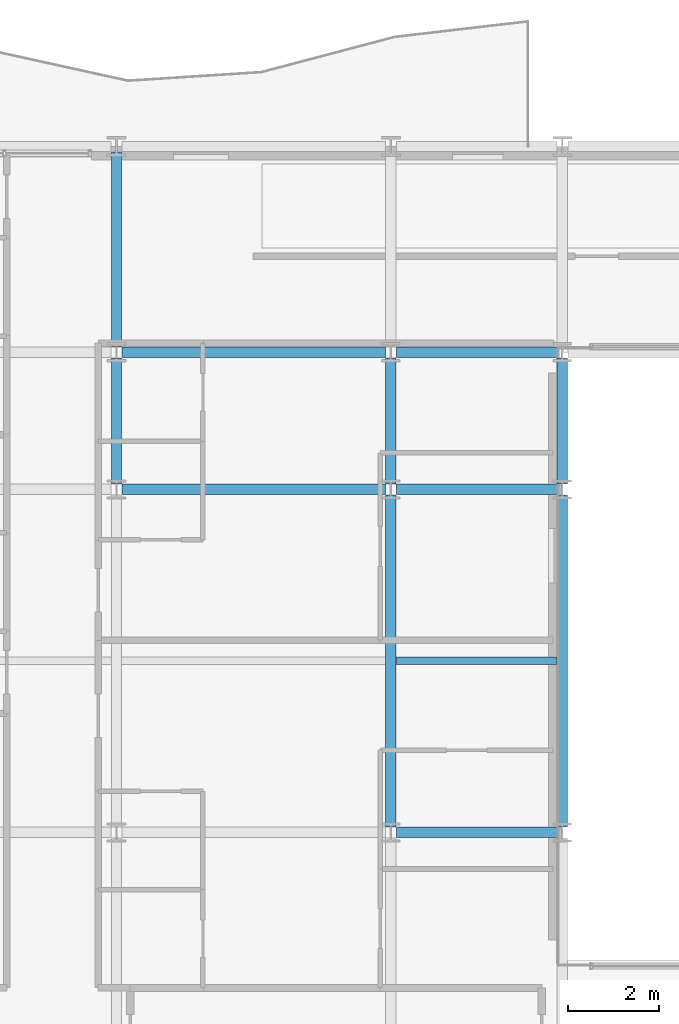
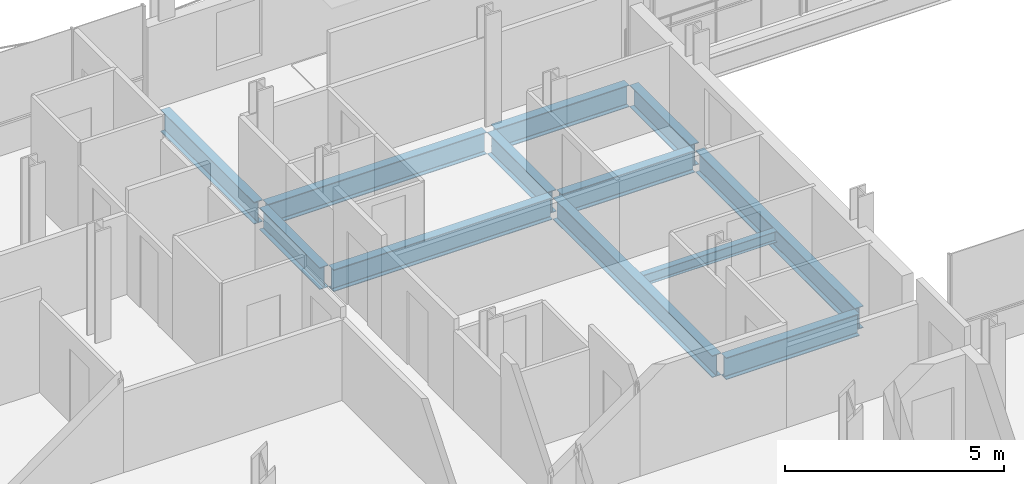
# One storey, part 8 of 41: 12 beams.
"""IFC4 building model written with IfcOpenShell, lengths in metres."""

import ifcopenshell
import ifcopenshell.guid

model = None  # the IFC model being written
_history = None  # IfcOwnerHistory: only IFC2X3 demands one
_inside = {}  # id of a spatial element -> (the spatial element, [elements in it])
_under = {}  # id of a project, library or spatial element -> (it, [spatial elements below it])
_declared = {}  # id of a project -> (the project, [libraries it declares])
_typed = {}  # id of a type object -> (the type object, [elements of that type])
_made_of = {}  # id of a material, layer set ... -> (it, [elements and type objects made of it])


def new_model(schema):
    """Start an empty IFC model of exactly this schema.

    Asked for "IFC4X3", IfcOpenShell would pick the latest addendum, in which some entities
    have other attributes; the version numbers below select the first issue.
    IFC2X3 requires an IfcOwnerHistory on every rooted entity: one is made here for all.
    """
    global model, _history
    if schema == "IFC4X3":
        model = ifcopenshell.file(schema_version=(4, 3, 0, 0))
    else:
        model = ifcopenshell.file(schema=schema)
    _inside.clear()
    _under.clear()
    _declared.clear()
    _typed.clear()
    _made_of.clear()
    _history = None
    if model.schema == "IFC2X3":
        org = make("IfcOrganization", Name="unknown")
        user = make(
            "IfcPersonAndOrganization",
            ThePerson=make("IfcPerson", FamilyName="unknown"),
            TheOrganization=org,
        )
        app = make(
            "IfcApplication",
            ApplicationDeveloper=org,
            Version="unknown",
            ApplicationFullName="unknown",
            ApplicationIdentifier="unknown",
        )
        _history = make(
            "IfcOwnerHistory",
            OwningUser=user,
            OwningApplication=app,
            ChangeAction="ADDED",
            CreationDate=0,
        )
    return model


def make(cls, **values):
    """One entity of the class cls with the attributes given. An attribute that is None is left unset."""
    return model.create_entity(
        cls, **{name: value for name, value in values.items() if value is not None}
    )


def rooted(cls, **values):
    """An entity with a GlobalId (a new one), such as an element, a storey or a relation."""
    return make(cls, GlobalId=ifcopenshell.guid.new(), OwnerHistory=_history, **values)


def si_unit(unit_type, name, prefix=None):
    """IfcSIUnit, for example si_unit("LENGTHUNIT", "METRE", prefix="MILLI")."""
    return make("IfcSIUnit", UnitType=unit_type, Prefix=prefix, Name=name)


def assignment(units):
    """IfcUnitAssignment: the units of a project."""
    return None if units is None else make("IfcUnitAssignment", Units=units)


def point(xyz):
    """IfcCartesianPoint."""
    return None if xyz is None else make("IfcCartesianPoint", Coordinates=xyz)


def direction(xyz):
    """IfcDirection."""
    return None if xyz is None else make("IfcDirection", DirectionRatios=xyz)


def frame(location, z_axis=None, x_axis=None):
    """IfcAxis2Placement3D, a coordinate frame: its origin and axes. An axis left out is left unset."""
    return make(
        "IfcAxis2Placement3D",
        Location=point(location),
        Axis=direction(z_axis),
        RefDirection=direction(x_axis),
    )


def frame_2d(location, x_axis=None):
    """IfcAxis2Placement2D, a coordinate frame in the plane: its origin and x axis."""
    return make(
        "IfcAxis2Placement2D", Location=point(location), RefDirection=direction(x_axis)
    )


def origin():
    """The frame at (0, 0, 0) with its axes left unset."""
    return frame((0.0, 0.0, 0.0))


def origin_2d():
    """The frame at (0, 0) in the plane with its x axis left unset."""
    return frame_2d((0.0, 0.0))


def place(relative_to, where):
    """IfcLocalPlacement: puts the frame where relative to a parent placement (None: the world)."""
    return make(
        "IfcLocalPlacement", PlacementRelTo=relative_to, RelativePlacement=where
    )


def context(
    kind, dimensions, precision=None, world=None, true_north=None, identifier=None
):
    """IfcGeometricRepresentationContext, for example the 3D "Model" context."""
    return make(
        "IfcGeometricRepresentationContext",
        ContextIdentifier=identifier,
        ContextType=kind,
        CoordinateSpaceDimension=dimensions,
        Precision=precision,
        WorldCoordinateSystem=world,
        TrueNorth=true_north,
    )


def subcontext(parent, identifier, kind, view, scale=None):
    """IfcGeometricRepresentationSubContext, for example "Body" below "Model"."""
    return make(
        "IfcGeometricRepresentationSubContext",
        ContextIdentifier=identifier,
        ContextType=kind,
        ParentContext=parent,
        TargetScale=scale,
        TargetView=view,
    )


def project(units=None, contexts=None):
    """IfcProject with its units and contexts."""
    return rooted(
        "IfcProject",
        Name="project",
        RepresentationContexts=contexts,
        UnitsInContext=assignment(units),
    )


def spatial(cls, under=None, at=None, **own):
    """A site, building, storey or space (cls), placed at a placement, below another one or the project."""
    s = rooted(cls, ObjectPlacement=at, **own)
    if under is not None:
        _under.setdefault(under.id(), (under, []))[1].append(s)
    return s


def profile(cls, at=None, kind="AREA", **sizes):
    """A parametric profile (cls). Its sizes go by their IFC names, for example OverallWidth=200.0."""
    return make(cls, ProfileType=kind, Position=at, **sizes)


def i_section(**sizes):
    """IfcIShapeProfileDef."""
    return profile("IfcIShapeProfileDef", **sizes)


def extrude(swept, where, along, depth):
    """IfcExtrudedAreaSolid: the profile swept, set in the frame where, extruded along a direction by depth."""
    return make(
        "IfcExtrudedAreaSolid",
        SweptArea=swept,
        Position=where,
        ExtrudedDirection=direction(along),
        Depth=depth,
    )


def shape(context_of_items, identifier, shape_type, items):
    """IfcShapeRepresentation: the items that make up one representation, for example the "Body"."""
    return make(
        "IfcShapeRepresentation",
        ContextOfItems=context_of_items,
        RepresentationIdentifier=identifier,
        RepresentationType=shape_type,
        Items=items,
    )


def material(Name=None, Category=None):
    """IfcMaterial."""
    return make("IfcMaterial", Name=Name, Category=Category)


def material_profile(
    of_material, cross_section, Name=None, Category=None, Priority=None
):
    """IfcMaterialProfile: a cross section and its material."""
    return make(
        "IfcMaterialProfile",
        Name=Name,
        Material=of_material,
        Profile=cross_section,
        Priority=Priority,
        Category=Category,
    )


def profile_set(profiles, Name=None, composite=None):
    """IfcMaterialProfileSet."""
    return make(
        "IfcMaterialProfileSet",
        Name=Name,
        MaterialProfiles=profiles,
        CompositeProfile=composite,
    )


def made_of(thing, what):
    """Note that an element or type object is made of a material, layer set ...; save() writes the relation."""
    if what is not None:
        _made_of.setdefault(what.id(), (what, []))[1].append(thing)
    return thing


def type_object(cls, material=None, **own):
    """A type object (cls), such as IfcWallType, which elements share."""
    return made_of(rooted(cls, **own), material)


def element(
    cls,
    number,
    at=None,
    inside=None,
    cuts=None,
    type_object=None,
    material=None,
    context=None,
    identifier="Body",
    shape_type=None,
    held_by="IfcProductDefinitionShape",
    body=None,
    shapes=None,
    **own,
):
    """One element of the class cls, such as IfcWall. Its Tag is "e" and its number.

    at: its placement. inside: the storey or other place that contains it. cuts: it is an
    opening in that element (IfcRelVoidsElement). A single representation is given by context,
    identifier, shape_type and body (its items); several are given by shapes. held_by: the class
    of the entity that holds the representations. save() writes the other relations.
    """
    e = rooted(cls, Tag="e%d" % number, ObjectPlacement=at, **own)
    if body is not None:
        shapes = [shape(context, identifier, shape_type, body)]
    if shapes is not None:
        e.Representation = make(held_by, Representations=shapes)
    if inside is not None:
        _inside.setdefault(inside.id(), (inside, []))[1].append(e)
    if cuts is not None:
        rooted(
            "IfcRelVoidsElement", RelatingBuildingElement=cuts, RelatedOpeningElement=e
        )
    if type_object is not None:
        _typed.setdefault(type_object.id(), (type_object, []))[1].append(e)
    return made_of(e, material)


def aggregate(whole, parts):
    """IfcRelAggregates: a whole, such as a stair, and the parts it consists of."""
    return rooted("IfcRelAggregates", RelatingObject=whole, RelatedObjects=parts)


def save(model, path):
    """Write the relations noted so far, then the file.

    IfcRelAggregates (storeys below a building ...), IfcRelContainedInSpatialStructure (elements
    in a storey), IfcRelDefinesByType, IfcRelAssociatesMaterial and IfcRelDeclares: one each for
    every whole, place, type object, material and project.
    """
    for whole, parts in _under.values():
        aggregate(whole, parts)
    for where, things in _inside.values():
        rooted(
            "IfcRelContainedInSpatialStructure",
            RelatedElements=things,
            RelatingStructure=where,
        )
    for kind, things in _typed.values():
        rooted("IfcRelDefinesByType", RelatedObjects=things, RelatingType=kind)
    for what, things in _made_of.values():
        rooted("IfcRelAssociatesMaterial", RelatedObjects=things, RelatingMaterial=what)
    for by, libraries in _declared.values():
        rooted("IfcRelDeclares", RelatingContext=by, RelatedDefinitions=libraries)
    model.write(path)


model = new_model("IFC4")

# Units and contexts
model_context = context("Model", 3, precision=1e-05, world=origin(), true_north=direction((0.0, 1.0)))
body_context = subcontext(model_context, "Body", "Model", "MODEL_VIEW")
ifc_project = project(units=[si_unit("LENGTHUNIT", "METRE"), si_unit("AREAUNIT", "SQUARE_METRE"), si_unit("VOLUMEUNIT", "CUBIC_METRE"), si_unit("PLANEANGLEUNIT", "RADIAN"), si_unit("MASSUNIT", "GRAM", prefix="KILO")], contexts=[model_context])

# Site, building, storey
site_placement = place(None, origin())
site = spatial("IfcSite", under=ifc_project, at=site_placement, CompositionType="ELEMENT")
building_placement = place(site_placement, origin())
building = spatial("IfcBuilding", under=site, at=building_placement, Name="Brevholm Reach", CompositionType="ELEMENT")
storey_placement = place(building_placement, frame((0.0, 0.0, 100.39990234375)))
storey = spatial("IfcBuildingStorey", under=building, at=storey_placement, Name="L29", CompositionType="ELEMENT", Elevation=100.39990234375)

# Beams
ifc_material_1 = material(Name="Structural Steel S355J2", Category="steel")
ifc_material_profile_1 = material_profile(ifc_material_1, i_section(OverallWidth=0.1650390625, OverallDepth=0.303466796875, WebThickness=0.006103515625, FlangeThickness=0.01025390625, FilletRadius=0.0087890625, at=origin_2d()), Name="UKB 305x165x40")
ifc_profile_set_1 = profile_set([ifc_material_profile_1], Name="Structural Steel S355J2")
beam_type_1 = type_object("IfcBeamType", Name="BM-B305", PredefinedType="BEAM", material=ifc_profile_set_1)
beam_1_placement = place(storey_placement, frame((18.114501953125, 19.75, -0.37158203125), z_axis=(1.0, 0.0, 0.0), x_axis=(0.0, 1.0, 0.0)))
element("IfcBeam", 1, at=beam_1_placement, inside=storey, type_object=beam_type_1, Name="L29 Composite Secondary Floor Beam", PredefinedType="BEAM", context=body_context, shape_type="SweptSolid", body=[
    extrude(i_section(OverallWidth=0.1650390625, OverallDepth=0.303466796875, WebThickness=0.006103515625, FlangeThickness=0.01025390625, FilletRadius=0.0087890625, at=origin_2d()), origin(), (0.0, 0.0, 1.0), 3.52099609375),
])
ifc_material_2 = material(Name="Structural Steel S355J2", Category="steel")
ifc_material_profile_2 = material_profile(ifc_material_2, i_section(OverallWidth=0.22900390625, OverallDepth=0.6123046875, WebThickness=0.011962890625, FlangeThickness=0.01953125, FilletRadius=0.0126953125, at=origin_2d()), Name="UKB 610x229x125")
ifc_profile_set_2 = profile_set([ifc_material_profile_2], Name="Structural Steel S355J2")
beam_type_2 = type_object("IfcBeamType", Name="BM-SP610", PredefinedType="SPANDREL", material=ifc_profile_set_2)
beam_2_placement = place(storey_placement, frame((18.1201171875, 16.0, -0.526123046875), z_axis=(1.0, 0.0, 0.0), x_axis=(0.0, 1.0, 0.0)))
element("IfcBeam", 2, at=beam_2_placement, inside=storey, type_object=beam_type_2, Name="L29 SP-01 Framing Beam", PredefinedType="SPANDREL", context=body_context, shape_type="SweptSolid", body=[
    extrude(i_section(OverallWidth=0.22900390625, OverallDepth=0.6123046875, WebThickness=0.011962890625, FlangeThickness=0.01953125, FilletRadius=0.0126953125, at=origin_2d()), origin(), (0.0, 0.0, 1.0), 3.509765625),
])
beam_3_placement = place(storey_placement, frame((12.1201171875, 23.5, -0.526123046875), z_axis=(1.0, 0.0, 0.0), x_axis=(0.0, 1.0, 0.0)))
element("IfcBeam", 3, at=beam_3_placement, inside=storey, type_object=beam_type_2, Name="L29 SP-01 Framing Beam", PredefinedType="SPANDREL", context=body_context, shape_type="SweptSolid", body=[
    extrude(i_section(OverallWidth=0.22900390625, OverallDepth=0.6123046875, WebThickness=0.011962890625, FlangeThickness=0.01953125, FilletRadius=0.0126953125, at=origin_2d()), origin(), (0.0, 0.0, 1.0), 5.759765625),
])
beam_4_placement = place(storey_placement, frame((18.1201171875, 23.5, -0.526123046875), z_axis=(1.0, 0.0, 0.0), x_axis=(0.0, 1.0, 0.0)))
element("IfcBeam", 4, at=beam_4_placement, inside=storey, type_object=beam_type_2, Name="L29 SP-01 Framing Beam", PredefinedType="SPANDREL", context=body_context, shape_type="SweptSolid", body=[
    extrude(i_section(OverallWidth=0.22900390625, OverallDepth=0.6123046875, WebThickness=0.011962890625, FlangeThickness=0.01953125, FilletRadius=0.0126953125, at=origin_2d()), origin(), (0.0, 0.0, 1.0), 3.509765625),
])
beam_5_placement = place(storey_placement, frame((12.1201171875, 26.5, -0.526123046875), z_axis=(1.0, 0.0, 0.0), x_axis=(0.0, 1.0, 0.0)))
element("IfcBeam", 5, at=beam_5_placement, inside=storey, type_object=beam_type_2, Name="L29 SP-01 Framing Beam", PredefinedType="SPANDREL", context=body_context, shape_type="SweptSolid", body=[
    extrude(i_section(OverallWidth=0.22900390625, OverallDepth=0.6123046875, WebThickness=0.011962890625, FlangeThickness=0.01953125, FilletRadius=0.0126953125, at=origin_2d()), origin(), (0.0, 0.0, 1.0), 5.759765625),
])
beam_6_placement = place(storey_placement, frame((18.1201171875, 26.5, -0.526123046875), z_axis=(1.0, 0.0, 0.0), x_axis=(0.0, 1.0, 0.0)))
element("IfcBeam", 6, at=beam_6_placement, inside=storey, type_object=beam_type_2, Name="L29 SP-01 Framing Beam", PredefinedType="SPANDREL", context=body_context, shape_type="SweptSolid", body=[
    extrude(i_section(OverallWidth=0.22900390625, OverallDepth=0.6123046875, WebThickness=0.011962890625, FlangeThickness=0.01953125, FilletRadius=0.0126953125, at=origin_2d()), origin(), (0.0, 0.0, 1.0), 3.509765625),
])
beam_7_placement = place(storey_placement, frame((12.0, 23.6201171875, -0.526123046875), z_axis=(0.0, 1.0, 0.0), x_axis=(-1.0, 0.0, 0.0)))
element("IfcBeam", 7, at=beam_7_placement, inside=storey, type_object=beam_type_2, Name="L29 SP-01 Framing Beam", PredefinedType="SPANDREL", context=body_context, shape_type="SweptSolid", body=[
    extrude(i_section(OverallWidth=0.22900390625, OverallDepth=0.6123046875, WebThickness=0.011962890625, FlangeThickness=0.01953125, FilletRadius=0.0126953125, at=origin_2d()), origin(), (0.0, 0.0, 1.0), 2.759765625),
])
beam_8_placement = place(storey_placement, frame((12.0, 26.6201171875, -0.526123046875), z_axis=(0.0, 1.0, 0.0), x_axis=(-1.0, 0.0, 0.0)))
element("IfcBeam", 8, at=beam_8_placement, inside=storey, type_object=beam_type_2, Name="L29 SP-01 Framing Beam", PredefinedType="SPANDREL", context=body_context, shape_type="SweptSolid", body=[
    extrude(i_section(OverallWidth=0.22900390625, OverallDepth=0.6123046875, WebThickness=0.011962890625, FlangeThickness=0.01953125, FilletRadius=0.0126953125, at=origin_2d()), origin(), (0.0, 0.0, 1.0), 4.259765625),
])
beam_9_placement = place(storey_placement, frame((18.0, 16.1201171875, -0.526123046875), z_axis=(0.0, 1.0, 0.0), x_axis=(-1.0, 0.0, 0.0)))
element("IfcBeam", 9, at=beam_9_placement, inside=storey, type_object=beam_type_2, Name="L29 SP-01 Framing Beam", PredefinedType="SPANDREL", context=body_context, shape_type="SweptSolid", body=[
    extrude(i_section(OverallWidth=0.22900390625, OverallDepth=0.6123046875, WebThickness=0.011962890625, FlangeThickness=0.01953125, FilletRadius=0.0126953125, at=origin_2d()), origin(), (0.0, 0.0, 1.0), 7.259765625),
])
beam_10_placement = place(storey_placement, frame((18.0, 23.6201171875, -0.526123046875), z_axis=(0.0, 1.0, 0.0), x_axis=(-1.0, 0.0, 0.0)))
element("IfcBeam", 10, at=beam_10_placement, inside=storey, type_object=beam_type_2, Name="L29 SP-01 Framing Beam", PredefinedType="SPANDREL", context=body_context, shape_type="SweptSolid", body=[
    extrude(i_section(OverallWidth=0.22900390625, OverallDepth=0.6123046875, WebThickness=0.011962890625, FlangeThickness=0.01953125, FilletRadius=0.0126953125, at=origin_2d()), origin(), (0.0, 0.0, 1.0), 2.759765625),
])
beam_11_placement = place(storey_placement, frame((21.75, 16.1201171875, -0.526123046875), z_axis=(0.0, 1.0, 0.0), x_axis=(-1.0, 0.0, 0.0)))
element("IfcBeam", 11, at=beam_11_placement, inside=storey, type_object=beam_type_2, Name="L29 SP-01 Framing Beam", PredefinedType="SPANDREL", context=body_context, shape_type="SweptSolid", body=[
    extrude(i_section(OverallWidth=0.22900390625, OverallDepth=0.6123046875, WebThickness=0.011962890625, FlangeThickness=0.01953125, FilletRadius=0.0126953125, at=origin_2d()), origin(), (0.0, 0.0, 1.0), 7.259765625),
])
beam_12_placement = place(storey_placement, frame((21.75, 23.6201171875, -0.526123046875), z_axis=(0.0, 1.0, 0.0), x_axis=(-1.0, 0.0, 0.0)))
element("IfcBeam", 12, at=beam_12_placement, inside=storey, type_object=beam_type_2, Name="L29 SP-01 Framing Beam", PredefinedType="SPANDREL", context=body_context, shape_type="SweptSolid", body=[
    extrude(i_section(OverallWidth=0.22900390625, OverallDepth=0.6123046875, WebThickness=0.011962890625, FlangeThickness=0.01953125, FilletRadius=0.0126953125, at=origin_2d()), origin(), (0.0, 0.0, 1.0), 2.759765625),
])

save(model, "model.ifc")
